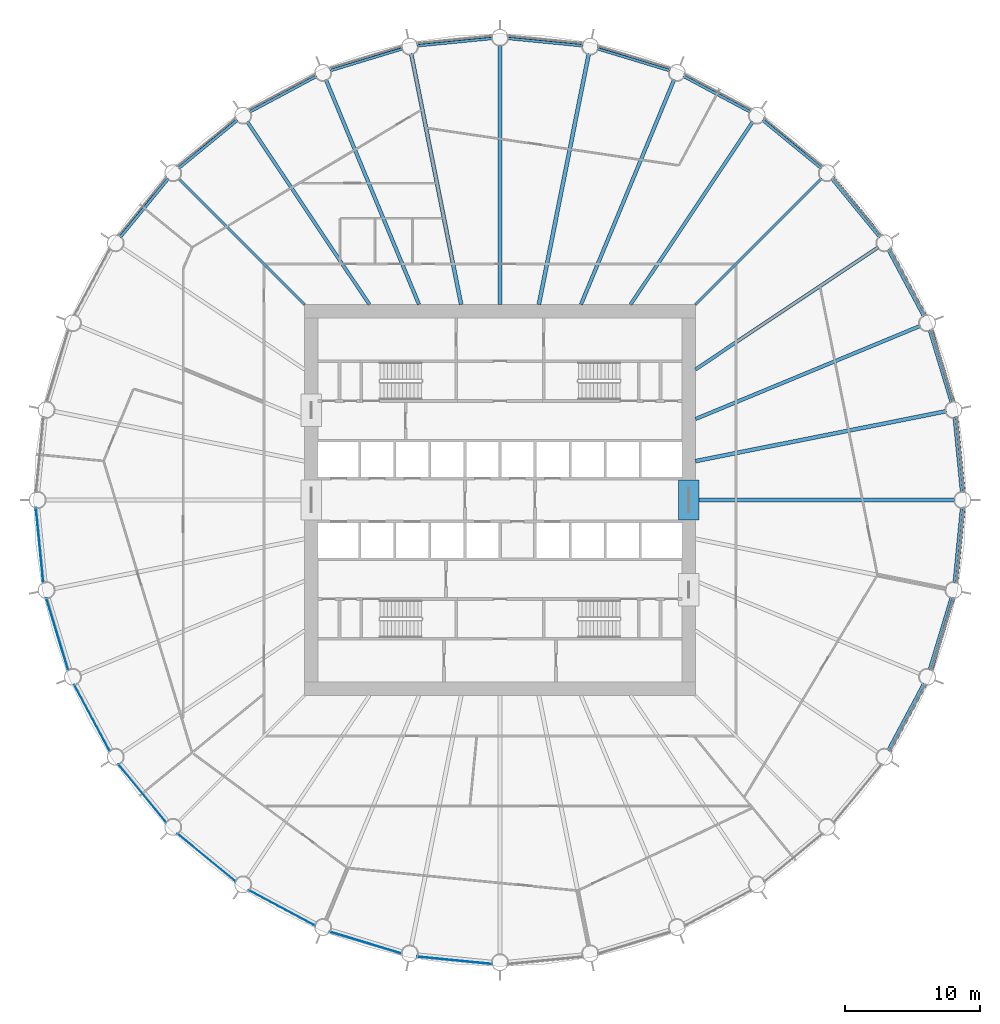
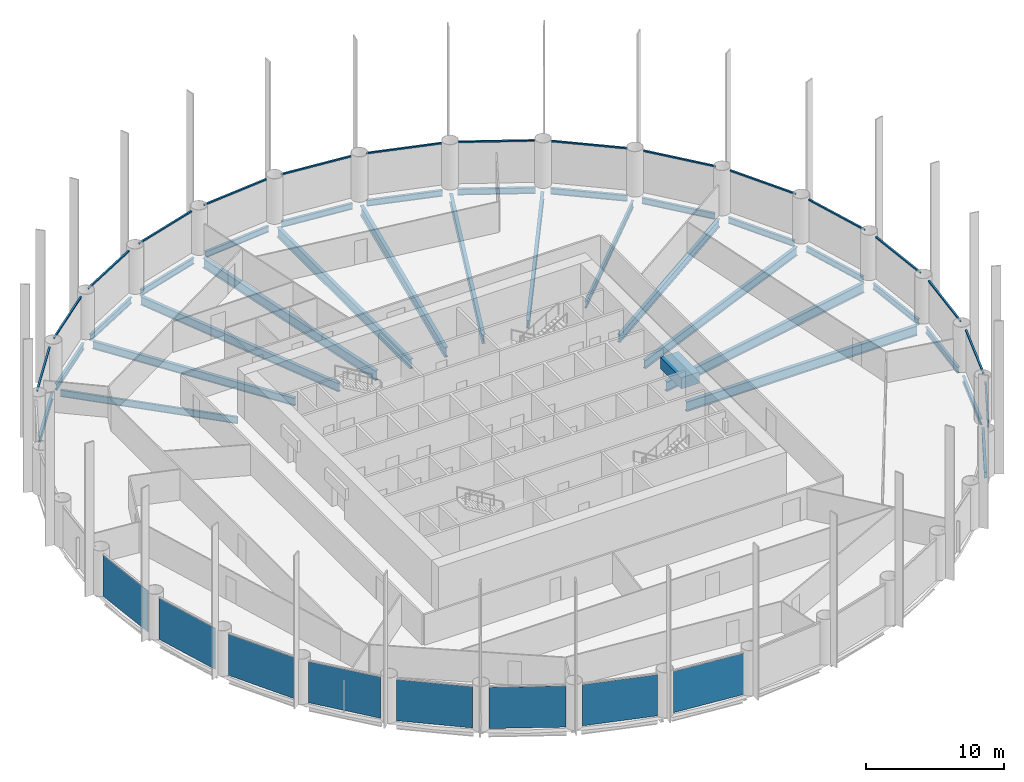
# One storey, part 2 of 10: 30 beams, 16 members, 8 plates, 24 elements without a shape of their own.
"""IFC4 building model written with IfcOpenShell, lengths in metres."""

import ifcopenshell
import ifcopenshell.guid

model = None  # the IFC model being written
_history = None  # IfcOwnerHistory: only IFC2X3 demands one
_inside = {}  # id of a spatial element -> (the spatial element, [elements in it])
_under = {}  # id of a project, library or spatial element -> (it, [spatial elements below it])
_declared = {}  # id of a project -> (the project, [libraries it declares])
_typed = {}  # id of a type object -> (the type object, [elements of that type])
_made_of = {}  # id of a material, layer set ... -> (it, [elements and type objects made of it])


def new_model(schema):
    """Start an empty IFC model of exactly this schema.

    Asked for "IFC4X3", IfcOpenShell would pick the latest addendum, in which some entities
    have other attributes; the version numbers below select the first issue.
    IFC2X3 requires an IfcOwnerHistory on every rooted entity: one is made here for all.
    """
    global model, _history
    if schema == "IFC4X3":
        model = ifcopenshell.file(schema_version=(4, 3, 0, 0))
    else:
        model = ifcopenshell.file(schema=schema)
    _inside.clear()
    _under.clear()
    _declared.clear()
    _typed.clear()
    _made_of.clear()
    _history = None
    if model.schema == "IFC2X3":
        org = make("IfcOrganization", Name="unknown")
        user = make(
            "IfcPersonAndOrganization",
            ThePerson=make("IfcPerson", FamilyName="unknown"),
            TheOrganization=org,
        )
        app = make(
            "IfcApplication",
            ApplicationDeveloper=org,
            Version="unknown",
            ApplicationFullName="unknown",
            ApplicationIdentifier="unknown",
        )
        _history = make(
            "IfcOwnerHistory",
            OwningUser=user,
            OwningApplication=app,
            ChangeAction="ADDED",
            CreationDate=0,
        )
    return model


def make(cls, **values):
    """One entity of the class cls with the attributes given. An attribute that is None is left unset."""
    return model.create_entity(
        cls, **{name: value for name, value in values.items() if value is not None}
    )


def rooted(cls, **values):
    """An entity with a GlobalId (a new one), such as an element, a storey or a relation."""
    return make(cls, GlobalId=ifcopenshell.guid.new(), OwnerHistory=_history, **values)


def si_unit(unit_type, name, prefix=None):
    """IfcSIUnit, for example si_unit("LENGTHUNIT", "METRE", prefix="MILLI")."""
    return make("IfcSIUnit", UnitType=unit_type, Prefix=prefix, Name=name)


def assignment(units):
    """IfcUnitAssignment: the units of a project."""
    return None if units is None else make("IfcUnitAssignment", Units=units)


def point(xyz):
    """IfcCartesianPoint."""
    return None if xyz is None else make("IfcCartesianPoint", Coordinates=xyz)


def direction(xyz):
    """IfcDirection."""
    return None if xyz is None else make("IfcDirection", DirectionRatios=xyz)


def frame(location, z_axis=None, x_axis=None):
    """IfcAxis2Placement3D, a coordinate frame: its origin and axes. An axis left out is left unset."""
    return make(
        "IfcAxis2Placement3D",
        Location=point(location),
        Axis=direction(z_axis),
        RefDirection=direction(x_axis),
    )


def frame_2d(location, x_axis=None):
    """IfcAxis2Placement2D, a coordinate frame in the plane: its origin and x axis."""
    return make(
        "IfcAxis2Placement2D", Location=point(location), RefDirection=direction(x_axis)
    )


def origin():
    """The frame at (0, 0, 0) with its axes left unset."""
    return frame((0.0, 0.0, 0.0))


def origin_2d():
    """The frame at (0, 0) in the plane with its x axis left unset."""
    return frame_2d((0.0, 0.0))


def place(relative_to, where):
    """IfcLocalPlacement: puts the frame where relative to a parent placement (None: the world)."""
    return make(
        "IfcLocalPlacement", PlacementRelTo=relative_to, RelativePlacement=where
    )


def context(
    kind, dimensions, precision=None, world=None, true_north=None, identifier=None
):
    """IfcGeometricRepresentationContext, for example the 3D "Model" context."""
    return make(
        "IfcGeometricRepresentationContext",
        ContextIdentifier=identifier,
        ContextType=kind,
        CoordinateSpaceDimension=dimensions,
        Precision=precision,
        WorldCoordinateSystem=world,
        TrueNorth=true_north,
    )


def subcontext(parent, identifier, kind, view, scale=None):
    """IfcGeometricRepresentationSubContext, for example "Body" below "Model"."""
    return make(
        "IfcGeometricRepresentationSubContext",
        ContextIdentifier=identifier,
        ContextType=kind,
        ParentContext=parent,
        TargetScale=scale,
        TargetView=view,
    )


def project(units=None, contexts=None):
    """IfcProject with its units and contexts."""
    return rooted(
        "IfcProject",
        Name="project",
        RepresentationContexts=contexts,
        UnitsInContext=assignment(units),
    )


def spatial(cls, under=None, at=None, **own):
    """A site, building, storey or space (cls), placed at a placement, below another one or the project."""
    s = rooted(cls, ObjectPlacement=at, **own)
    if under is not None:
        _under.setdefault(under.id(), (under, []))[1].append(s)
    return s


def profile(cls, at=None, kind="AREA", **sizes):
    """A parametric profile (cls). Its sizes go by their IFC names, for example OverallWidth=200.0."""
    return make(cls, ProfileType=kind, Position=at, **sizes)


def rectangle(**sizes):
    """IfcRectangleProfileDef."""
    return profile("IfcRectangleProfileDef", **sizes)


def i_section(**sizes):
    """IfcIShapeProfileDef."""
    return profile("IfcIShapeProfileDef", **sizes)


def extrude(swept, where, along, depth):
    """IfcExtrudedAreaSolid: the profile swept, set in the frame where, extruded along a direction by depth."""
    return make(
        "IfcExtrudedAreaSolid",
        SweptArea=swept,
        Position=where,
        ExtrudedDirection=direction(along),
        Depth=depth,
    )


def shape(context_of_items, identifier, shape_type, items):
    """IfcShapeRepresentation: the items that make up one representation, for example the "Body"."""
    return make(
        "IfcShapeRepresentation",
        ContextOfItems=context_of_items,
        RepresentationIdentifier=identifier,
        RepresentationType=shape_type,
        Items=items,
    )


def material(Name=None, Category=None):
    """IfcMaterial."""
    return make("IfcMaterial", Name=Name, Category=Category)


def layer(
    of_material, thickness, ventilated=None, Name=None, Category=None, Priority=None
):
    """IfcMaterialLayer: one layer of a wall or slab, of a material (None: an air gap)."""
    return make(
        "IfcMaterialLayer",
        Material=of_material,
        LayerThickness=thickness,
        IsVentilated=ventilated,
        Name=Name,
        Category=Category,
        Priority=Priority,
    )


def layer_set(layers, Name=None):
    """IfcMaterialLayerSet."""
    return make("IfcMaterialLayerSet", MaterialLayers=layers, LayerSetName=Name)


def material_profile(
    of_material, cross_section, Name=None, Category=None, Priority=None
):
    """IfcMaterialProfile: a cross section and its material."""
    return make(
        "IfcMaterialProfile",
        Name=Name,
        Material=of_material,
        Profile=cross_section,
        Priority=Priority,
        Category=Category,
    )


def profile_set(profiles, Name=None, composite=None):
    """IfcMaterialProfileSet."""
    return make(
        "IfcMaterialProfileSet",
        Name=Name,
        MaterialProfiles=profiles,
        CompositeProfile=composite,
    )


def made_of(thing, what):
    """Note that an element or type object is made of a material, layer set ...; save() writes the relation."""
    if what is not None:
        _made_of.setdefault(what.id(), (what, []))[1].append(thing)
    return thing


def type_object(cls, material=None, **own):
    """A type object (cls), such as IfcWallType, which elements share."""
    return made_of(rooted(cls, **own), material)


def element(
    cls,
    number,
    at=None,
    inside=None,
    cuts=None,
    type_object=None,
    material=None,
    context=None,
    identifier="Body",
    shape_type=None,
    held_by="IfcProductDefinitionShape",
    body=None,
    shapes=None,
    **own,
):
    """One element of the class cls, such as IfcWall. Its Tag is "e" and its number.

    at: its placement. inside: the storey or other place that contains it. cuts: it is an
    opening in that element (IfcRelVoidsElement). A single representation is given by context,
    identifier, shape_type and body (its items); several are given by shapes. held_by: the class
    of the entity that holds the representations. save() writes the other relations.
    """
    e = rooted(cls, Tag="e%d" % number, ObjectPlacement=at, **own)
    if body is not None:
        shapes = [shape(context, identifier, shape_type, body)]
    if shapes is not None:
        e.Representation = make(held_by, Representations=shapes)
    if inside is not None:
        _inside.setdefault(inside.id(), (inside, []))[1].append(e)
    if cuts is not None:
        rooted(
            "IfcRelVoidsElement", RelatingBuildingElement=cuts, RelatedOpeningElement=e
        )
    if type_object is not None:
        _typed.setdefault(type_object.id(), (type_object, []))[1].append(e)
    return made_of(e, material)


def aggregate(whole, parts):
    """IfcRelAggregates: a whole, such as a stair, and the parts it consists of."""
    return rooted("IfcRelAggregates", RelatingObject=whole, RelatedObjects=parts)


def save(model, path):
    """Write the relations noted so far, then the file.

    IfcRelAggregates (storeys below a building ...), IfcRelContainedInSpatialStructure (elements
    in a storey), IfcRelDefinesByType, IfcRelAssociatesMaterial and IfcRelDeclares: one each for
    every whole, place, type object, material and project.
    """
    for whole, parts in _under.values():
        aggregate(whole, parts)
    for where, things in _inside.values():
        rooted(
            "IfcRelContainedInSpatialStructure",
            RelatedElements=things,
            RelatingStructure=where,
        )
    for kind, things in _typed.values():
        rooted("IfcRelDefinesByType", RelatedObjects=things, RelatingType=kind)
    for what, things in _made_of.values():
        rooted("IfcRelAssociatesMaterial", RelatedObjects=things, RelatingMaterial=what)
    for by, libraries in _declared.values():
        rooted("IfcRelDeclares", RelatingContext=by, RelatedDefinitions=libraries)
    model.write(path)


model = new_model("IFC4")

# Units and contexts
model_context = context("Model", 3, precision=1e-05, world=origin(), true_north=direction((0.0, 1.0)))
body_context = subcontext(model_context, "Body", "Model", "MODEL_VIEW")
ifc_project = project(units=[si_unit("LENGTHUNIT", "METRE"), si_unit("AREAUNIT", "SQUARE_METRE"), si_unit("VOLUMEUNIT", "CUBIC_METRE"), si_unit("PLANEANGLEUNIT", "RADIAN"), si_unit("MASSUNIT", "GRAM", prefix="KILO")], contexts=[model_context])

# Site, building, storey
site_placement = place(None, origin())
site = spatial("IfcSite", under=ifc_project, at=site_placement, CompositionType="ELEMENT")
building_placement = place(site_placement, origin())
building = spatial("IfcBuilding", under=site, at=building_placement, Name="Corvane Civic Tower", CompositionType="ELEMENT")
storey_placement = place(building_placement, frame((0.0, 0.0, 130.5)))
storey = spatial("IfcBuildingStorey", under=building, at=storey_placement, Name="L30", CompositionType="ELEMENT", Elevation=130.5)

# Beams
ifc_material_1 = material(Name="Concrete C70/85", Category="concrete")
ifc_material_profile_1 = material_profile(ifc_material_1, rectangle(XDim=1.5, YDim=1.0, at=origin_2d()), Name="COUPLING BEAM 1500X1000")
ifc_profile_set_1 = profile_set([ifc_material_profile_1], Name="Concrete C70/85")
beam_type_1 = type_object("IfcBeamType", Name="COUPLING BEAM COUPLING BEAM 1500X1000", PredefinedType="BEAM", material=ifc_profile_set_1)
beam_1_placement = place(storey_placement, frame((14.0, -1.5, 2.60009765625), z_axis=(0.0, 1.0, 0.0), x_axis=(-1.0, 0.0, 0.0)))
element("IfcBeam", 1, at=beam_1_placement, inside=storey, type_object=beam_type_1, Name="BM-L30-cpl-CW-LE", PredefinedType="BEAM", context=body_context, shape_type="SweptSolid", body=[
    extrude(rectangle(XDim=1.5, YDim=1.0, at=origin_2d()), origin(), (0.0, 0.0, 1.0), 3.0),
])
ifc_material_2 = material(Name="Steel ASTM A992 Gr 50", Category="steel")
ifc_material_profile_2 = material_profile(ifc_material_2, i_section(OverallWidth=0.209228515625, OverallDepth=0.533447265625, WebThickness=0.01025390625, FlangeThickness=0.015625, at=origin_2d()), Name="W21X62")
ifc_profile_set_2 = profile_set([ifc_material_profile_2], Name="Steel ASTM A992 Gr 50")
beam_type_2 = type_object("IfcBeamType", Name="EDGE BEAM W21X62", PredefinedType="BEAM", material=ifc_profile_set_2)
beam_2_placement = place(storey_placement, frame((0.54736328125, 34.24609375, -0.566650390625), z_axis=(0.995184368522, -0.098020776625, 0.0), x_axis=(0.098020776625, 0.995184368522, 0.0)))
element("IfcBeam", 2, at=beam_2_placement, inside=storey, type_object=beam_type_2, Name="BM-L30-E01", PredefinedType="BEAM", context=body_context, shape_type="SweptSolid", body=[
    extrude(i_section(OverallWidth=0.209228515625, OverallDepth=0.533447265625, WebThickness=0.01025390625, FlangeThickness=0.015625, at=origin_2d()), origin(), (0.0, 0.0, 1.0), 5.6240234375),
])
beam_3_placement = place(storey_placement, frame((7.218017578125, 33.481201171875, -0.566650390625), z_axis=(0.956936367498, -0.290297758448, 0.0), x_axis=(0.290297758448, 0.956936367498, 0.0)))
element("IfcBeam", 3, at=beam_3_placement, inside=storey, type_object=beam_type_2, Name="BM-L30-E02", PredefinedType="BEAM", context=body_context, shape_type="SweptSolid", body=[
    extrude(i_section(OverallWidth=0.209228515625, OverallDepth=0.533447265625, WebThickness=0.01025390625, FlangeThickness=0.015625, at=origin_2d()), origin(), (0.0, 0.0, 1.0), 5.623779296875),
])
for number, where, z_axis, x_axis, name in (
    (4, (13.611083984375, 31.4296875, -0.566650390625), (0.88192357867, -0.471392407008, 0.0), (0.471392407008, 0.88192357867, 0.0), "BM-L30-E03"),
    (5, (19.481201171875, 28.17041015625, -0.566650390625), (0.773006775372, -0.634397765782, 0.0), (0.634397765782, 0.773006775372, 0.0), "BM-L30-E04"),
    (6, (24.6025390625, 23.82861328125, -0.566650390625), (0.634397765782, -0.773006775372, 0.0), (0.773006775372, 0.634397765782, 0.0), "BM-L30-E05"),
    (7, (28.778564453125, 18.571044921875, -0.566650390625), (0.471392407008, -0.88192357867, 0.0), (0.88192357867, 0.471392407008, 0.0), "BM-L30-E06"),
):
    element("IfcBeam", number, at=place(storey_placement, frame(where, z_axis=z_axis, x_axis=x_axis)), inside=storey, type_object=beam_type_2, Name=name, PredefinedType="BEAM", context=body_context, shape_type="SweptSolid", body=[
        extrude(i_section(OverallWidth=0.209228515625, OverallDepth=0.533447265625, WebThickness=0.01025390625, FlangeThickness=0.015625, at=origin_2d()), origin(), (0.0, 0.0, 1.0), 5.6240234375),
    ])
beam_4_placement = place(storey_placement, frame((31.8486328125, 12.599609375, -0.566650390625), z_axis=(0.290297758448, -0.956936367498, 0.0), x_axis=(0.956936367498, 0.290297758448, 0.0)))
element("IfcBeam", 8, at=beam_4_placement, inside=storey, type_object=beam_type_2, Name="BM-L30-E07", PredefinedType="BEAM", context=body_context, shape_type="SweptSolid", body=[
    extrude(i_section(OverallWidth=0.209228515625, OverallDepth=0.533447265625, WebThickness=0.01025390625, FlangeThickness=0.015625, at=origin_2d()), origin(), (0.0, 0.0, 1.0), 5.623779296875),
])
for number, where, z_axis, x_axis, name in (
    (9, (33.69482421875, 6.144287109375, -0.566650390625), (0.098020776625, -0.995184368522, 0.0), (0.995184368522, 0.098020776625, 0.0), "BM-L30-E08"),
    (10, (34.24609375, -0.54736328125, -0.566650390625), (-0.098020776625, -0.995184368522, 0.0), (0.995184368522, -0.098020776625, 0.0), "BM-L30-E09"),
):
    element("IfcBeam", number, at=place(storey_placement, frame(where, z_axis=z_axis, x_axis=x_axis)), inside=storey, type_object=beam_type_2, Name=name, PredefinedType="BEAM", context=body_context, shape_type="SweptSolid", body=[
        extrude(i_section(OverallWidth=0.209228515625, OverallDepth=0.533447265625, WebThickness=0.01025390625, FlangeThickness=0.015625, at=origin_2d()), origin(), (0.0, 0.0, 1.0), 5.6240234375),
    ])
beam_5_placement = place(storey_placement, frame((33.481201171875, -7.218017578125, -0.566650390625), z_axis=(-0.290297758448, -0.956936367498, 0.0), x_axis=(0.956936367498, -0.290297758448, 0.0)))
element("IfcBeam", 11, at=beam_5_placement, inside=storey, type_object=beam_type_2, Name="BM-L30-E10", PredefinedType="BEAM", context=body_context, shape_type="SweptSolid", body=[
    extrude(i_section(OverallWidth=0.209228515625, OverallDepth=0.533447265625, WebThickness=0.01025390625, FlangeThickness=0.015625, at=origin_2d()), origin(), (0.0, 0.0, 1.0), 5.623779296875),
])
for number, where, z_axis, x_axis, name in (
    (12, (31.4296875, -13.611083984375, -0.566650390625), (-0.471392407008, -0.88192357867, 0.0), (0.88192357867, -0.471392407008, 0.0), "BM-L30-E11"),
    (13, (-28.17041015625, 19.481201171875, -0.566650390625), (0.634397765782, 0.773006775372, 0.0), (-0.773006775372, 0.634397765782, 0.0), "BM-L30-E28"),
    (14, (-23.82861328125, 24.6025390625, -0.566650390625), (0.773006775372, 0.634397765782, 0.0), (-0.634397765782, 0.773006775372, 0.0), "BM-L30-E29"),
    (15, (-18.571044921875, 28.778564453125, -0.566650390625), (0.88192357867, 0.471392407008, 0.0), (-0.471392407008, 0.88192357867, 0.0), "BM-L30-E30"),
):
    element("IfcBeam", number, at=place(storey_placement, frame(where, z_axis=z_axis, x_axis=x_axis)), inside=storey, type_object=beam_type_2, Name=name, PredefinedType="BEAM", context=body_context, shape_type="SweptSolid", body=[
        extrude(i_section(OverallWidth=0.209228515625, OverallDepth=0.533447265625, WebThickness=0.01025390625, FlangeThickness=0.015625, at=origin_2d()), origin(), (0.0, 0.0, 1.0), 5.6240234375),
    ])
beam_6_placement = place(storey_placement, frame((-12.599609375, 31.8486328125, -0.566650390625), z_axis=(0.956936367498, 0.290297758448, 0.0), x_axis=(-0.290297758448, 0.956936367498, 0.0)))
element("IfcBeam", 16, at=beam_6_placement, inside=storey, type_object=beam_type_2, Name="BM-L30-E31", PredefinedType="BEAM", context=body_context, shape_type="SweptSolid", body=[
    extrude(i_section(OverallWidth=0.209228515625, OverallDepth=0.533447265625, WebThickness=0.01025390625, FlangeThickness=0.015625, at=origin_2d()), origin(), (0.0, 0.0, 1.0), 5.623779296875),
])
beam_7_placement = place(storey_placement, frame((-6.144287109375, 33.69482421875, -0.566650390625), z_axis=(0.995184368522, 0.098020776625, 0.0), x_axis=(-0.098020776625, 0.995184368522, 0.0)))
element("IfcBeam", 17, at=beam_7_placement, inside=storey, type_object=beam_type_2, Name="BM-L30-E32", PredefinedType="BEAM", context=body_context, shape_type="SweptSolid", body=[
    extrude(i_section(OverallWidth=0.209228515625, OverallDepth=0.533447265625, WebThickness=0.01025390625, FlangeThickness=0.015625, at=origin_2d()), origin(), (0.0, 0.0, 1.0), 5.6240234375),
])
ifc_material_3 = material(Name="Steel ASTM A992 Gr 50", Category="steel")
ifc_material_profile_3 = material_profile(ifc_material_3, i_section(OverallWidth=0.177978515625, OverallDepth=0.599365234375, WebThickness=0.010009765625, FlangeThickness=0.012939453125, at=origin_2d()), Name="W24X55")
ifc_profile_set_3 = profile_set([ifc_material_profile_3], Name="Steel ASTM A992 Gr 50")
beam_type_3 = type_object("IfcBeamType", Name="FLOOR GIRDER W24X55", PredefinedType="BEAM", material=ifc_profile_set_3)
for number, where, z_axis, x_axis, name in (
    (18, (14.5, 14.5, -0.599609375), (0.707106781187, 0.707106781187, 0.0), (-0.707106781187, 0.707106781187, 0.0), "BM-L30-G05"),
    (19, (-14.5, 14.5, -0.599609375), (-0.707106781187, 0.707106781187, 0.0), (-0.707106781187, -0.707106781187, 0.0), "BM-L30-G29"),
):
    element("IfcBeam", number, at=place(storey_placement, frame(where, z_axis=z_axis, x_axis=x_axis)), inside=storey, type_object=beam_type_3, Name=name, PredefinedType="BEAM", context=body_context, shape_type="SweptSolid", body=[
        extrude(i_section(OverallWidth=0.177978515625, OverallDepth=0.599365234375, WebThickness=0.010009765625, FlangeThickness=0.012939453125, at=origin_2d()), origin(), (0.0, 0.0, 1.0), 13.24365234375),
    ])
ifc_material_4 = material(Name="Steel ASTM A992 Gr 50", Category="steel")
ifc_material_profile_4 = material_profile(ifc_material_4, i_section(OverallWidth=0.256591796875, OverallDepth=0.693359375, WebThickness=0.014404296875, FlangeThickness=0.023681640625, at=origin_2d()), Name="W27X114")
ifc_profile_set_4 = profile_set([ifc_material_profile_4], Name="Steel ASTM A992 Gr 50")
beam_type_4 = type_object("IfcBeamType", Name="FLOOR GIRDER W27X114", PredefinedType="BEAM", material=ifc_profile_set_4)
for number, where, z_axis, x_axis, name in (
    (20, (9.6884765625, 14.5, -0.646728515625), (0.555577235054, 0.83146493365, 0.0), (-0.83146493365, 0.555577235054, 0.0), "BM-L30-G04"),
    (21, (14.5, 9.6884765625, -0.646728515625), (0.83146493365, 0.555577235054, 0.0), (-0.555577235054, 0.83146493365, 0.0), "BM-L30-G06"),
    (22, (-9.6884765625, 14.5, -0.646728515625), (-0.555577235054, 0.83146493365, 0.0), (-0.83146493365, -0.555577235054, 0.0), "BM-L30-G30"),
):
    element("IfcBeam", number, at=place(storey_placement, frame(where, z_axis=z_axis, x_axis=x_axis)), inside=storey, type_object=beam_type_4, Name=name, PredefinedType="BEAM", context=body_context, shape_type="SweptSolid", body=[
        extrude(i_section(OverallWidth=0.256591796875, OverallDepth=0.693359375, WebThickness=0.014404296875, FlangeThickness=0.023681640625, at=origin_2d()), origin(), (0.0, 0.0, 1.0), 16.31103515625),
    ])
ifc_material_5 = material(Name="Steel ASTM A992 Gr 50", Category="steel")
ifc_material_profile_5 = material_profile(ifc_material_5, i_section(OverallWidth=0.2666015625, OverallDepth=0.7568359375, WebThickness=0.013916015625, FlangeThickness=0.019287109375, at=origin_2d()), Name="W30X108")
ifc_profile_set_5 = profile_set([ifc_material_profile_5], Name="Steel ASTM A992 Gr 50")
beam_type_5 = type_object("IfcBeamType", Name="FLOOR GIRDER W30X108", PredefinedType="BEAM", material=ifc_profile_set_5)
for number, where, z_axis, x_axis, name in (
    (23, (6.006103515625, 14.5, -0.678466796875), (0.382681797504, 0.923880209691, 0.0), (-0.923880209691, 0.382681797504, 0.0), "BM-L30-G03"),
    (24, (14.5, 6.006103515625, -0.678466796875), (0.923880209691, 0.382681797504, 0.0), (-0.382681797504, 0.923880209691, 0.0), "BM-L30-G07"),
    (25, (-6.006103515625, 14.5, -0.678466796875), (-0.382681797504, 0.923880209691, 0.0), (-0.923880209691, -0.382681797504, 0.0), "BM-L30-G31"),
):
    element("IfcBeam", number, at=place(storey_placement, frame(where, z_axis=z_axis, x_axis=x_axis)), inside=storey, type_object=beam_type_5, Name=name, PredefinedType="BEAM", context=body_context, shape_type="SweptSolid", body=[
        extrude(i_section(OverallWidth=0.2666015625, OverallDepth=0.7568359375, WebThickness=0.013916015625, FlangeThickness=0.019287109375, at=origin_2d()), origin(), (0.0, 0.0, 1.0), 18.05517578125),
    ])
ifc_material_6 = material(Name="Steel ASTM A992 Gr 50", Category="steel")
ifc_material_profile_6 = material_profile(ifc_material_6, i_section(OverallWidth=0.2919921875, OverallDepth=0.8583984375, WebThickness=0.01708984375, FlangeThickness=0.031005859375, at=origin_2d()), Name="W33X169")
ifc_profile_set_6 = profile_set([ifc_material_profile_6], Name="Steel ASTM A992 Gr 50")
beam_type_6 = type_object("IfcBeamType", Name="FLOOR GIRDER W33X169", PredefinedType="BEAM", material=ifc_profile_set_6)
beam_8_placement = place(storey_placement, frame((0.0, 14.5, -0.729248046875), z_axis=(0.0, 1.0, 0.0), x_axis=(-1.0, 0.0, 0.0)))
element("IfcBeam", 26, at=beam_8_placement, inside=storey, type_object=beam_type_6, Name="BM-L30-G01", PredefinedType="BEAM", context=body_context, shape_type="SweptSolid", body=[
    extrude(i_section(OverallWidth=0.2919921875, OverallDepth=0.8583984375, WebThickness=0.01708984375, FlangeThickness=0.031005859375, at=origin_2d()), origin(), (0.0, 0.0, 1.0), 19.25),
])
for number, where, z_axis, x_axis, name in (
    (27, (2.88427734375, 14.5, -0.729248046875), (0.195083745652, 0.9807865885, 0.0), (-0.9807865885, 0.195083745652, 0.0), "BM-L30-G02"),
    (28, (14.5, 2.88427734375, -0.729248046875), (0.9807865885, 0.195083745652, 0.0), (-0.195083745652, 0.9807865885, 0.0), "BM-L30-G08"),
):
    element("IfcBeam", number, at=place(storey_placement, frame(where, z_axis=z_axis, x_axis=x_axis)), inside=storey, type_object=beam_type_6, Name=name, PredefinedType="BEAM", context=body_context, shape_type="SweptSolid", body=[
        extrude(i_section(OverallWidth=0.2919921875, OverallDepth=0.8583984375, WebThickness=0.01708984375, FlangeThickness=0.031005859375, at=origin_2d()), origin(), (0.0, 0.0, 1.0), 18.966064453125),
    ])
beam_9_placement = place(storey_placement, frame((14.5, 0.0, -0.729248046875), z_axis=(1.0, 0.0, 0.0), x_axis=(0.0, 1.0, 0.0)))
element("IfcBeam", 29, at=beam_9_placement, inside=storey, type_object=beam_type_6, Name="BM-L30-G09", PredefinedType="BEAM", context=body_context, shape_type="SweptSolid", body=[
    extrude(i_section(OverallWidth=0.2919921875, OverallDepth=0.8583984375, WebThickness=0.01708984375, FlangeThickness=0.031005859375, at=origin_2d()), origin(), (0.0, 0.0, 1.0), 19.25),
])
beam_10_placement = place(storey_placement, frame((-2.88427734375, 14.5, -0.729248046875), z_axis=(-0.195083745652, 0.9807865885, 0.0), x_axis=(-0.9807865885, -0.195083745652, 0.0)))
element("IfcBeam", 30, at=beam_10_placement, inside=storey, type_object=beam_type_6, Name="BM-L30-G32", PredefinedType="BEAM", context=body_context, shape_type="SweptSolid", body=[
    extrude(i_section(OverallWidth=0.2919921875, OverallDepth=0.8583984375, WebThickness=0.01708984375, FlangeThickness=0.031005859375, at=origin_2d()), origin(), (0.0, 0.0, 1.0), 18.966064453125),
])

# Curtain wall, member
ifc_material_7 = material(Name="Anodised aluminium bronze", Category="aluminium")
curtain_wall_type = type_object("IfcCurtainWallType", Name="TOWER CW-T1 STICK CURTAIN WALL", PredefinedType="NOTDEFINED", material=ifc_material_7)
curtain_wall_1_placement = place(storey_placement, origin())
curtain_wall_1 = element("IfcCurtainWall", 31, at=curtain_wall_1_placement, inside=storey, type_object=curtain_wall_type, Name="Curtain wall CW-T1 L30 bay 01", PredefinedType="NOTDEFINED")
ifc_material_8 = material(Name="Anodised aluminium bronze", Category="aluminium")
ifc_material_profile_7 = material_profile(ifc_material_8, rectangle(XDim=0.139892578125, YDim=0.1201171875, at=origin_2d()), Name="TOWER CW-T1 TRANSOM 140x120")
ifc_profile_set_7 = profile_set([ifc_material_profile_7], Name="Anodised aluminium bronze")
member_type = type_object("IfcMemberType", Name="TOWER CW-T1 TRANSOM 140x120", PredefinedType="USERDEFINED", material=ifc_profile_set_7)
member_1_placement = place(storey_placement, frame((0.58349609375, 34.422607421875, 3.68994140625), z_axis=(0.995179807033, -0.098067077419, 0.0), x_axis=(0.098067077419, 0.995179807033, 0.0)))
member_1 = element("IfcMember", 32, at=member_1_placement, type_object=member_type, Name="Transom CW-T1 L30 01.1", ObjectType="TRANSOM", PredefinedType="USERDEFINED", context=body_context, shape_type="SweptSolid", body=[
    extrude(rectangle(XDim=0.139892578125, YDim=0.1201171875, at=origin_2d()), origin(), (0.0, 0.0, 1.0), 5.58642578125),
])
aggregate(curtain_wall_1, [member_1])

curtain_wall_2_placement = place(storey_placement, origin())
curtain_wall_2 = element("IfcCurtainWall", 33, at=curtain_wall_2_placement, inside=storey, type_object=curtain_wall_type, Name="Curtain wall CW-T1 L30 bay 02", PredefinedType="NOTDEFINED")
member_2_placement = place(storey_placement, frame((7.287841796875, 33.647216796875, 3.68994140625), z_axis=(0.956944977029, -0.290269376509, 0.0), x_axis=(0.290269376509, 0.956944977029, 0.0)))
member_2 = element("IfcMember", 34, at=member_2_placement, type_object=member_type, Name="Transom CW-T1 L30 02.1", ObjectType="TRANSOM", PredefinedType="USERDEFINED", context=body_context, shape_type="SweptSolid", body=[
    extrude(rectangle(XDim=0.139892578125, YDim=0.1201171875, at=origin_2d()), origin(), (0.0, 0.0, 1.0), 5.58642578125),
])
aggregate(curtain_wall_2, [member_2])

curtain_wall_3_placement = place(storey_placement, origin())
curtain_wall_3 = element("IfcCurtainWall", 35, at=curtain_wall_3_placement, inside=storey, type_object=curtain_wall_type, Name="Curtain wall CW-T1 L30 bay 03", PredefinedType="NOTDEFINED")
member_3_placement = place(storey_placement, frame((13.712158203125, 31.5791015625, 3.68994140625), z_axis=(0.881920705407, -0.47139778253, 0.0), x_axis=(0.47139778253, 0.881920705407, 0.0)))
member_3 = element("IfcMember", 36, at=member_3_placement, type_object=member_type, Name="Transom CW-T1 L30 03.1", ObjectType="TRANSOM", PredefinedType="USERDEFINED", context=body_context, shape_type="SweptSolid", body=[
    extrude(rectangle(XDim=0.139892578125, YDim=0.1201171875, at=origin_2d()), origin(), (0.0, 0.0, 1.0), 5.586669921875),
])
aggregate(curtain_wall_3, [member_3])

curtain_wall_4_placement = place(storey_placement, origin())
curtain_wall_4 = element("IfcCurtainWall", 37, at=curtain_wall_4_placement, inside=storey, type_object=curtain_wall_type, Name="Curtain wall CW-T1 L30 bay 04", PredefinedType="NOTDEFINED")
member_4_placement = place(storey_placement, frame((19.609619140625, 28.297119140625, 3.68994140625), z_axis=(0.772996431642, -0.634410369295, 0.0), x_axis=(0.634410369295, 0.772996431642, 0.0)))
member_4 = element("IfcMember", 38, at=member_4_placement, type_object=member_type, Name="Transom CW-T1 L30 04.1", ObjectType="TRANSOM", PredefinedType="USERDEFINED", context=body_context, shape_type="SweptSolid", body=[
    extrude(rectangle(XDim=0.139892578125, YDim=0.1201171875, at=origin_2d()), origin(), (0.0, 0.0, 1.0), 5.586181640625),
])
aggregate(curtain_wall_4, [member_4])

curtain_wall_5_placement = place(storey_placement, origin())
curtain_wall_5 = element("IfcCurtainWall", 39, at=curtain_wall_5_placement, inside=storey, type_object=curtain_wall_type, Name="Curtain wall CW-T1 L30 bay 05", PredefinedType="NOTDEFINED")
member_5_placement = place(storey_placement, frame((24.753173828125, 23.927734375, 3.68994140625), z_axis=(0.634410369295, -0.772996431642, 0.0), x_axis=(0.772996431642, 0.634410369295, 0.0)))
member_5 = element("IfcMember", 40, at=member_5_placement, type_object=member_type, Name="Transom CW-T1 L30 05.1", ObjectType="TRANSOM", PredefinedType="USERDEFINED", context=body_context, shape_type="SweptSolid", body=[
    extrude(rectangle(XDim=0.139892578125, YDim=0.1201171875, at=origin_2d()), origin(), (0.0, 0.0, 1.0), 5.586181640625),
])
aggregate(curtain_wall_5, [member_5])

curtain_wall_6_placement = place(storey_placement, origin())
curtain_wall_6 = element("IfcCurtainWall", 41, at=curtain_wall_6_placement, inside=storey, type_object=curtain_wall_type, Name="Curtain wall CW-T1 L30 bay 06", PredefinedType="NOTDEFINED")
member_6_placement = place(storey_placement, frame((28.945556640625, 18.63916015625, 3.68994140625), z_axis=(0.47139778253, -0.881920705407, 0.0), x_axis=(0.881920705407, 0.47139778253, 0.0)))
member_6 = element("IfcMember", 42, at=member_6_placement, type_object=member_type, Name="Transom CW-T1 L30 06.1", ObjectType="TRANSOM", PredefinedType="USERDEFINED", context=body_context, shape_type="SweptSolid", body=[
    extrude(rectangle(XDim=0.139892578125, YDim=0.1201171875, at=origin_2d()), origin(), (0.0, 0.0, 1.0), 5.586669921875),
])
aggregate(curtain_wall_6, [member_6])

curtain_wall_7_placement = place(storey_placement, origin())
curtain_wall_7 = element("IfcCurtainWall", 43, at=curtain_wall_7_placement, inside=storey, type_object=curtain_wall_type, Name="Curtain wall CW-T1 L30 bay 07", PredefinedType="NOTDEFINED")
member_7_placement = place(storey_placement, frame((32.025634765625, 12.6337890625, 3.68994140625), z_axis=(0.290269376509, -0.956944977029, 0.0), x_axis=(0.956944977029, 0.290269376509, 0.0)))
member_7 = element("IfcMember", 44, at=member_7_placement, type_object=member_type, Name="Transom CW-T1 L30 07.1", ObjectType="TRANSOM", PredefinedType="USERDEFINED", context=body_context, shape_type="SweptSolid", body=[
    extrude(rectangle(XDim=0.139892578125, YDim=0.1201171875, at=origin_2d()), origin(), (0.0, 0.0, 1.0), 5.58642578125),
])
aggregate(curtain_wall_7, [member_7])

curtain_wall_8_placement = place(storey_placement, origin())
curtain_wall_8 = element("IfcCurtainWall", 45, at=curtain_wall_8_placement, inside=storey, type_object=curtain_wall_type, Name="Curtain wall CW-T1 L30 bay 08", PredefinedType="NOTDEFINED")
member_8_placement = place(storey_placement, frame((33.874755859375, 6.14306640625, 3.68994140625), z_axis=(0.098067077419, -0.995179807033, 0.0), x_axis=(0.995179807033, 0.098067077419, 0.0)))
member_8 = element("IfcMember", 46, at=member_8_placement, type_object=member_type, Name="Transom CW-T1 L30 08.1", ObjectType="TRANSOM", PredefinedType="USERDEFINED", context=body_context, shape_type="SweptSolid", body=[
    extrude(rectangle(XDim=0.139892578125, YDim=0.1201171875, at=origin_2d()), origin(), (0.0, 0.0, 1.0), 5.58642578125),
])
aggregate(curtain_wall_8, [member_8])

curtain_wall_9_placement = place(storey_placement, origin())
curtain_wall_9 = element("IfcCurtainWall", 47, at=curtain_wall_9_placement, inside=storey, type_object=curtain_wall_type, Name="Curtain wall CW-T1 L30 bay 09", PredefinedType="NOTDEFINED")
member_9_placement = place(storey_placement, frame((34.422607421875, -0.58349609375, 3.68994140625), z_axis=(-0.098067077419, -0.995179807033, 0.0), x_axis=(0.995179807033, -0.098067077419, 0.0)))
member_9 = element("IfcMember", 48, at=member_9_placement, type_object=member_type, Name="Transom CW-T1 L30 09.1", ObjectType="TRANSOM", PredefinedType="USERDEFINED", context=body_context, shape_type="SweptSolid", body=[
    extrude(rectangle(XDim=0.139892578125, YDim=0.1201171875, at=origin_2d()), origin(), (0.0, 0.0, 1.0), 5.58642578125),
])
aggregate(curtain_wall_9, [member_9])

curtain_wall_10_placement = place(storey_placement, origin())
curtain_wall_10 = element("IfcCurtainWall", 49, at=curtain_wall_10_placement, inside=storey, type_object=curtain_wall_type, Name="Curtain wall CW-T1 L30 bay 10", PredefinedType="NOTDEFINED")
member_10_placement = place(storey_placement, frame((33.647216796875, -7.287841796875, 3.68994140625), z_axis=(-0.290269376509, -0.956944977029, 0.0), x_axis=(0.956944977029, -0.290269376509, 0.0)))
member_10 = element("IfcMember", 50, at=member_10_placement, type_object=member_type, Name="Transom CW-T1 L30 10.1", ObjectType="TRANSOM", PredefinedType="USERDEFINED", context=body_context, shape_type="SweptSolid", body=[
    extrude(rectangle(XDim=0.139892578125, YDim=0.1201171875, at=origin_2d()), origin(), (0.0, 0.0, 1.0), 5.58642578125),
])
aggregate(curtain_wall_10, [member_10])

curtain_wall_11_placement = place(storey_placement, origin())
curtain_wall_11 = element("IfcCurtainWall", 51, at=curtain_wall_11_placement, inside=storey, type_object=curtain_wall_type, Name="Curtain wall CW-T1 L30 bay 11", PredefinedType="NOTDEFINED")
member_11_placement = place(storey_placement, frame((31.5791015625, -13.712158203125, 3.68994140625), z_axis=(-0.47139778253, -0.881920705407, 0.0), x_axis=(0.881920705407, -0.47139778253, 0.0)))
member_11 = element("IfcMember", 52, at=member_11_placement, type_object=member_type, Name="Transom CW-T1 L30 11.1", ObjectType="TRANSOM", PredefinedType="USERDEFINED", context=body_context, shape_type="SweptSolid", body=[
    extrude(rectangle(XDim=0.139892578125, YDim=0.1201171875, at=origin_2d()), origin(), (0.0, 0.0, 1.0), 5.586669921875),
])
aggregate(curtain_wall_11, [member_11])

curtain_wall_12_placement = place(storey_placement, origin())
curtain_wall_12 = element("IfcCurtainWall", 53, at=curtain_wall_12_placement, inside=storey, type_object=curtain_wall_type, Name="Curtain wall CW-T1 L30 bay 28", PredefinedType="NOTDEFINED")
member_12_placement = place(storey_placement, frame((-28.297119140625, 19.609619140625, 3.68994140625), z_axis=(0.634410369295, 0.772996431642, 0.0), x_axis=(-0.772996431642, 0.634410369295, 0.0)))
member_12 = element("IfcMember", 54, at=member_12_placement, type_object=member_type, Name="Transom CW-T1 L30 28.1", ObjectType="TRANSOM", PredefinedType="USERDEFINED", context=body_context, shape_type="SweptSolid", body=[
    extrude(rectangle(XDim=0.139892578125, YDim=0.1201171875, at=origin_2d()), origin(), (0.0, 0.0, 1.0), 5.586181640625),
])
aggregate(curtain_wall_12, [member_12])

curtain_wall_13_placement = place(storey_placement, origin())
curtain_wall_13 = element("IfcCurtainWall", 55, at=curtain_wall_13_placement, inside=storey, type_object=curtain_wall_type, Name="Curtain wall CW-T1 L30 bay 29", PredefinedType="NOTDEFINED")
member_13_placement = place(storey_placement, frame((-23.927734375, 24.753173828125, 3.68994140625), z_axis=(0.772996431642, 0.634410369295, 0.0), x_axis=(-0.634410369295, 0.772996431642, 0.0)))
member_13 = element("IfcMember", 56, at=member_13_placement, type_object=member_type, Name="Transom CW-T1 L30 29.1", ObjectType="TRANSOM", PredefinedType="USERDEFINED", context=body_context, shape_type="SweptSolid", body=[
    extrude(rectangle(XDim=0.139892578125, YDim=0.1201171875, at=origin_2d()), origin(), (0.0, 0.0, 1.0), 5.586181640625),
])
aggregate(curtain_wall_13, [member_13])

curtain_wall_14_placement = place(storey_placement, origin())
curtain_wall_14 = element("IfcCurtainWall", 57, at=curtain_wall_14_placement, inside=storey, type_object=curtain_wall_type, Name="Curtain wall CW-T1 L30 bay 30", PredefinedType="NOTDEFINED")
member_14_placement = place(storey_placement, frame((-18.63916015625, 28.945556640625, 3.68994140625), z_axis=(0.881920705407, 0.47139778253, 0.0), x_axis=(-0.47139778253, 0.881920705407, 0.0)))
member_14 = element("IfcMember", 58, at=member_14_placement, type_object=member_type, Name="Transom CW-T1 L30 30.1", ObjectType="TRANSOM", PredefinedType="USERDEFINED", context=body_context, shape_type="SweptSolid", body=[
    extrude(rectangle(XDim=0.139892578125, YDim=0.1201171875, at=origin_2d()), origin(), (0.0, 0.0, 1.0), 5.586669921875),
])
aggregate(curtain_wall_14, [member_14])

curtain_wall_15_placement = place(storey_placement, origin())
curtain_wall_15 = element("IfcCurtainWall", 59, at=curtain_wall_15_placement, inside=storey, type_object=curtain_wall_type, Name="Curtain wall CW-T1 L30 bay 31", PredefinedType="NOTDEFINED")
member_15_placement = place(storey_placement, frame((-12.6337890625, 32.025634765625, 3.68994140625), z_axis=(0.956944977029, 0.290269376509, 0.0), x_axis=(-0.290269376509, 0.956944977029, 0.0)))
member_15 = element("IfcMember", 60, at=member_15_placement, type_object=member_type, Name="Transom CW-T1 L30 31.1", ObjectType="TRANSOM", PredefinedType="USERDEFINED", context=body_context, shape_type="SweptSolid", body=[
    extrude(rectangle(XDim=0.139892578125, YDim=0.1201171875, at=origin_2d()), origin(), (0.0, 0.0, 1.0), 5.58642578125),
])
aggregate(curtain_wall_15, [member_15])

curtain_wall_16_placement = place(storey_placement, origin())
curtain_wall_16 = element("IfcCurtainWall", 61, at=curtain_wall_16_placement, inside=storey, type_object=curtain_wall_type, Name="Curtain wall CW-T1 L30 bay 32", PredefinedType="NOTDEFINED")
member_16_placement = place(storey_placement, frame((-6.14306640625, 33.874755859375, 3.68994140625), z_axis=(0.995179807033, 0.098067077419, 0.0), x_axis=(-0.098067077419, 0.995179807033, 0.0)))
member_16 = element("IfcMember", 62, at=member_16_placement, type_object=member_type, Name="Transom CW-T1 L30 32.1", ObjectType="TRANSOM", PredefinedType="USERDEFINED", context=body_context, shape_type="SweptSolid", body=[
    extrude(rectangle(XDim=0.139892578125, YDim=0.1201171875, at=origin_2d()), origin(), (0.0, 0.0, 1.0), 5.58642578125),
])
aggregate(curtain_wall_16, [member_16])

# Curtain wall, plate
curtain_wall_17_placement = place(storey_placement, origin())
curtain_wall_17 = element("IfcCurtainWall", 63, at=curtain_wall_17_placement, inside=storey, type_object=curtain_wall_type, Name="Curtain wall CW-T1 L30 bay 17", PredefinedType="NOTDEFINED")
ifc_material_9 = material(Name="Tinted glass", Category="glass")
ifc_layer = layer(ifc_material_9, 0.035888671875)
ifc_layer_set = layer_set([ifc_layer], Name="Tinted glass")
plate_type = type_object("IfcPlateType", Name="TOWER CW-T1 PANEL IGU36", PredefinedType="CURTAIN_PANEL", material=ifc_layer_set)
plate_1_placement = place(storey_placement, frame((-3.36328125, -34.148681640625, 0.0), z_axis=(0.0, 0.0, 1.0), x_axis=(-0.995183788169, 0.098026668644, 0.0)))
plate_1 = element("IfcPlate", 64, at=plate_1_placement, type_object=plate_type, Name="Glass panel CW-T1 L30 17.1", PredefinedType="CURTAIN_PANEL", context=body_context, shape_type="SweptSolid", body=[
    extrude(rectangle(XDim=5.58642578125, YDim=0.035888671875, at=origin_2d()), origin(), (0.0, 0.0, 1.0), 3.6298828125),
])
aggregate(curtain_wall_17, [plate_1])

curtain_wall_18_placement = place(storey_placement, origin())
curtain_wall_18 = element("IfcCurtainWall", 65, at=curtain_wall_18_placement, inside=storey, type_object=curtain_wall_type, Name="Curtain wall CW-T1 L30 bay 18", PredefinedType="NOTDEFINED")
plate_2_placement = place(storey_placement, frame((-9.9609375, -32.83642578125, 0.0), z_axis=(0.0, 0.0, 1.0), x_axis=(-0.956945991488, 0.290266032073, 0.0)))
plate_2 = element("IfcPlate", 66, at=plate_2_placement, type_object=plate_type, Name="Glass panel CW-T1 L30 18.1", PredefinedType="CURTAIN_PANEL", context=body_context, shape_type="SweptSolid", body=[
    extrude(rectangle(XDim=5.58642578125, YDim=0.035888671875, at=origin_2d()), origin(), (0.0, 0.0, 1.0), 3.6298828125),
])
aggregate(curtain_wall_18, [plate_2])

curtain_wall_19_placement = place(storey_placement, origin())
curtain_wall_19 = element("IfcCurtainWall", 67, at=curtain_wall_19_placement, inside=storey, type_object=curtain_wall_type, Name="Curtain wall CW-T1 L30 bay 19", PredefinedType="NOTDEFINED")
plate_3_placement = place(storey_placement, frame((-16.175537109375, -30.26220703125, 0.0), z_axis=(0.0, 0.0, 1.0), x_axis=(-0.881923642976, 0.471392286699, 0.0)))
plate_3 = element("IfcPlate", 68, at=plate_3_placement, type_object=plate_type, Name="Glass panel CW-T1 L30 19.1", PredefinedType="CURTAIN_PANEL", context=body_context, shape_type="SweptSolid", body=[
    extrude(rectangle(XDim=5.586669921875, YDim=0.035888671875, at=origin_2d()), origin(), (0.0, 0.0, 1.0), 3.6298828125),
])
aggregate(curtain_wall_19, [plate_3])

curtain_wall_20_placement = place(storey_placement, origin())
curtain_wall_20 = element("IfcCurtainWall", 69, at=curtain_wall_20_placement, inside=storey, type_object=curtain_wall_type, Name="Curtain wall CW-T1 L30 bay 20", PredefinedType="NOTDEFINED")
plate_4_placement = place(storey_placement, frame((-21.7685546875, -26.525146484375, 0.0), z_axis=(0.0, 0.0, 1.0), x_axis=(-0.773013419843, 0.63438966948, 0.0)))
plate_4 = element("IfcPlate", 70, at=plate_4_placement, type_object=plate_type, Name="Glass panel CW-T1 L30 20.1", PredefinedType="CURTAIN_PANEL", context=body_context, shape_type="SweptSolid", body=[
    extrude(rectangle(XDim=5.58642578125, YDim=0.035888671875, at=origin_2d()), origin(), (0.0, 0.0, 1.0), 3.6298828125),
])
aggregate(curtain_wall_20, [plate_4])

curtain_wall_21_placement = place(storey_placement, origin())
curtain_wall_21 = element("IfcCurtainWall", 71, at=curtain_wall_21_placement, inside=storey, type_object=curtain_wall_type, Name="Curtain wall CW-T1 L30 bay 21", PredefinedType="NOTDEFINED")
plate_5_placement = place(storey_placement, frame((-26.525146484375, -21.7685546875, 0.0), z_axis=(0.0, 0.0, 1.0), x_axis=(-0.63438966948, 0.773013419843, 0.0)))
plate_5 = element("IfcPlate", 72, at=plate_5_placement, type_object=plate_type, Name="Glass panel CW-T1 L30 21.1", PredefinedType="CURTAIN_PANEL", context=body_context, shape_type="SweptSolid", body=[
    extrude(rectangle(XDim=5.58642578125, YDim=0.035888671875, at=origin_2d()), origin(), (0.0, 0.0, 1.0), 3.6298828125),
])
aggregate(curtain_wall_21, [plate_5])

curtain_wall_22_placement = place(storey_placement, origin())
curtain_wall_22 = element("IfcCurtainWall", 73, at=curtain_wall_22_placement, inside=storey, type_object=curtain_wall_type, Name="Curtain wall CW-T1 L30 bay 22", PredefinedType="NOTDEFINED")
plate_6_placement = place(storey_placement, frame((-30.26220703125, -16.175537109375, 0.0), z_axis=(0.0, 0.0, 1.0), x_axis=(-0.471392286699, 0.881923642976, 0.0)))
plate_6 = element("IfcPlate", 74, at=plate_6_placement, type_object=plate_type, Name="Glass panel CW-T1 L30 22.1", PredefinedType="CURTAIN_PANEL", context=body_context, shape_type="SweptSolid", body=[
    extrude(rectangle(XDim=5.586669921875, YDim=0.035888671875, at=origin_2d()), origin(), (0.0, 0.0, 1.0), 3.6298828125),
])
aggregate(curtain_wall_22, [plate_6])

curtain_wall_23_placement = place(storey_placement, origin())
curtain_wall_23 = element("IfcCurtainWall", 75, at=curtain_wall_23_placement, inside=storey, type_object=curtain_wall_type, Name="Curtain wall CW-T1 L30 bay 23", PredefinedType="NOTDEFINED")
plate_7_placement = place(storey_placement, frame((-32.83642578125, -9.9609375, 0.0), z_axis=(0.0, 0.0, 1.0), x_axis=(-0.290266032073, 0.956945991488, 0.0)))
plate_7 = element("IfcPlate", 76, at=plate_7_placement, type_object=plate_type, Name="Glass panel CW-T1 L30 23.1", PredefinedType="CURTAIN_PANEL", context=body_context, shape_type="SweptSolid", body=[
    extrude(rectangle(XDim=5.58642578125, YDim=0.035888671875, at=origin_2d()), origin(), (0.0, 0.0, 1.0), 3.6298828125),
])
aggregate(curtain_wall_23, [plate_7])

curtain_wall_24_placement = place(storey_placement, origin())
curtain_wall_24 = element("IfcCurtainWall", 77, at=curtain_wall_24_placement, inside=storey, type_object=curtain_wall_type, Name="Curtain wall CW-T1 L30 bay 24", PredefinedType="NOTDEFINED")
plate_8_placement = place(storey_placement, frame((-34.148681640625, -3.36328125, 0.0), z_axis=(0.0, 0.0, 1.0), x_axis=(-0.098026668644, 0.995183788169, 0.0)))
plate_8 = element("IfcPlate", 78, at=plate_8_placement, type_object=plate_type, Name="Glass panel CW-T1 L30 24.1", PredefinedType="CURTAIN_PANEL", context=body_context, shape_type="SweptSolid", body=[
    extrude(rectangle(XDim=5.58642578125, YDim=0.035888671875, at=origin_2d()), origin(), (0.0, 0.0, 1.0), 3.6298828125),
])
aggregate(curtain_wall_24, [plate_8])

save(model, "model.ifc")
